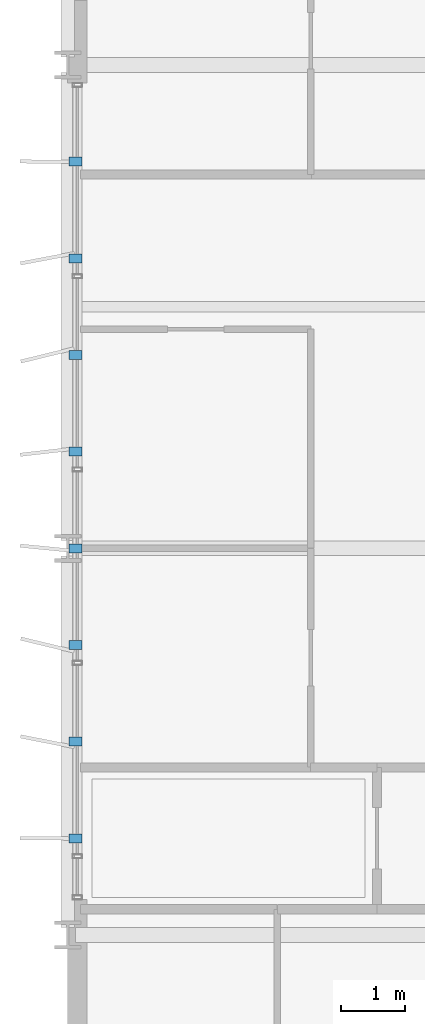
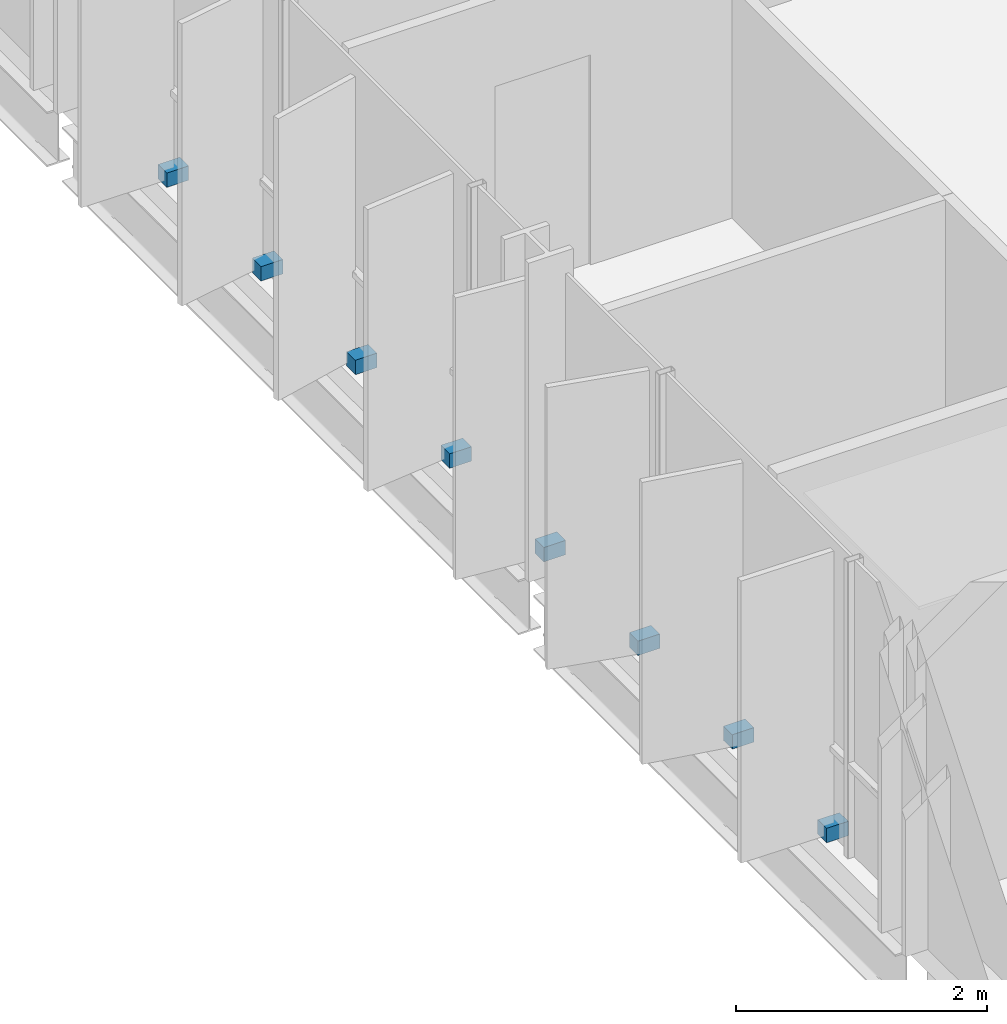
# One storey, part 34 of 38: 8 discrete accessories.
"""IFC4 building model written with IfcOpenShell, lengths in metres."""

from ifc_helpers import new_model, si_unit, direction, frame, origin, origin_2d, place, context, subcontext, project, spatial, rectangle, extrude, material, type_object, element, save


model = new_model("IFC4")

# Units and contexts
model_context = context("Model", 3, precision=1e-05, world=origin(), true_north=direction((0.0, 1.0)))
body_context = subcontext(model_context, "Body", "Model", "MODEL_VIEW")
ifc_project = project(units=[si_unit("LENGTHUNIT", "METRE"), si_unit("AREAUNIT", "SQUARE_METRE"), si_unit("VOLUMEUNIT", "CUBIC_METRE"), si_unit("PLANEANGLEUNIT", "RADIAN"), si_unit("MASSUNIT", "GRAM", prefix="KILO")], contexts=[model_context])

# Site, building, storey
site_placement = place(None, origin())
site = spatial("IfcSite", under=ifc_project, at=site_placement, CompositionType="ELEMENT")
building_placement = place(site_placement, origin())
building = spatial("IfcBuilding", under=site, at=building_placement, Name="Brevholm Reach", CompositionType="ELEMENT")
storey_placement = place(building_placement, frame((0.0, 0.0, 122.10009765625)))
storey = spatial("IfcBuildingStorey", under=building, at=storey_placement, Name="L36", CompositionType="ELEMENT", Elevation=122.10009765625)

# Discrete accessories
ifc_material = material(Name="Duplex Stainless Steel EN 1.4462", Category="steel")
discrete_accessory_type = type_object("IfcDiscreteAccessoryType", Name="ACC-BRK-01", PredefinedType="BRACKET", material=ifc_material)
for number, where, z_axis, x_axis, name in (
    (1, (0.1201171875, 11.5, 0.02978515625), (0.0, 0.0, 1.0), (-1.0, 0.0, 0.0), "L36 Solar Screen Support Bracket 1"),
    (2, (0.1201171875, 13.0, 0.02978515625), (0.0, 0.0, 1.0), (-1.0, 0.0, 0.0), "L36 Solar Screen Support Bracket 2"),
    (3, (0.1201171875, 14.5, 0.02978515625), (0.0, 0.0, 1.0), (-1.0, 0.0, 0.0), "L36 Solar Screen Support Bracket 3"),
    (4, (0.1201171875, 16.0, 0.02978515625), (0.0, 0.0, 1.0), (-1.0, 0.0, 0.0), "L36 Solar Screen Support Bracket 4"),
    (5, (0.1201171875, 17.5, 0.02978515625), (0.0, 0.0, 1.0), (-1.0, 0.0, 0.0), "L36 Solar Screen Support Bracket 5"),
    (6, (0.1201171875, 19.0, 0.02978515625), (0.0, 0.0, 1.0), (-1.0, 0.0, 0.0), "L36 Solar Screen Support Bracket 6"),
    (7, (0.1201171875, 20.5, 0.02978515625), (0.0, 0.0, 1.0), (-1.0, 0.0, 0.0), "L36 Solar Screen Support Bracket 7"),
    (8, (0.1201171875, 22.0, 0.02978515625), (0.0, 0.0, 1.0), (-1.0, 0.0, 0.0), "L36 Solar Screen Support Bracket 8"),
):
    element("IfcDiscreteAccessory", number, at=place(storey_placement, frame(where, z_axis=z_axis, x_axis=x_axis)), inside=storey, type_object=discrete_accessory_type, Name=name, PredefinedType="BRACKET", context=body_context, shape_type="SweptSolid", body=[
        extrude(rectangle(XDim=0.199951171875, YDim=0.139892578125, at=origin_2d()), origin(), (0.0, 0.0, 1.0), 0.139892578125),
    ])

save(model, "model.ifc")
